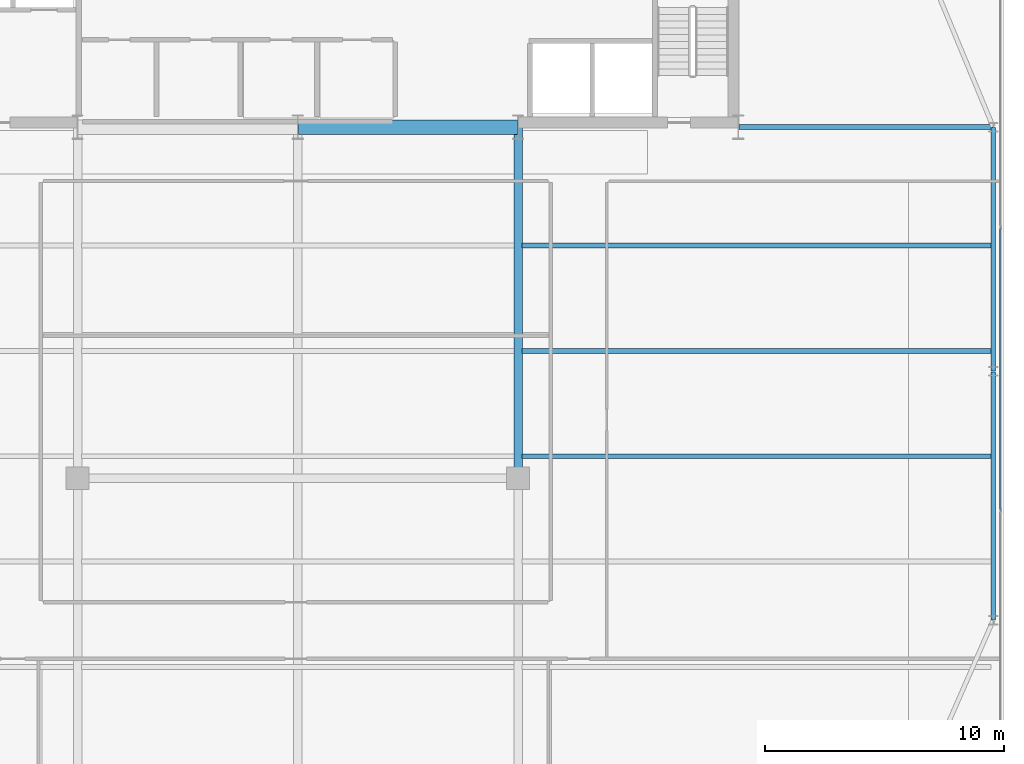
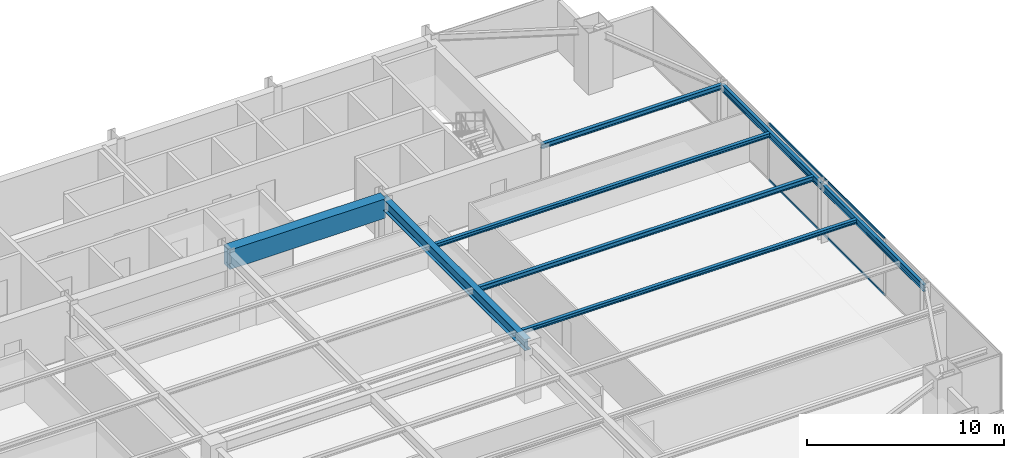
# One storey, part 19 of 30: 8 beams, 2 members, 1 element without a shape of its own.
"""IFC4 building model written with IfcOpenShell, lengths in metres."""

from ifc_helpers import new_model, si_unit, direction, frame, origin, origin_2d, place, context, subcontext, project, spatial, rectangle, hollow_rectangle, i_section, extrude, source, transform, mapped, material, layer, layer_set, material_profile, profile_set, type_object, type_shapes, element, aggregate, save


model = new_model("IFC4")

# Units and contexts
model_context = context("Model", 3, precision=1e-05, world=origin(), true_north=direction((0.0, 1.0)))
body_context = subcontext(model_context, "Body", "Model", "MODEL_VIEW")
ifc_project = project(units=[si_unit("LENGTHUNIT", "METRE"), si_unit("AREAUNIT", "SQUARE_METRE"), si_unit("VOLUMEUNIT", "CUBIC_METRE"), si_unit("PLANEANGLEUNIT", "RADIAN"), si_unit("MASSUNIT", "GRAM", prefix="KILO")], contexts=[model_context])

# Site, building, storey
site_placement = place(None, origin())
site = spatial("IfcSite", under=ifc_project, at=site_placement, CompositionType="ELEMENT")
building_placement = place(site_placement, origin())
building = spatial("IfcBuilding", under=site, at=building_placement, Name="Varnel Quay Broadcast Tower", CompositionType="ELEMENT")
storey_placement = place(building_placement, frame((0.0, 0.0, 122.0)))
storey = spatial("IfcBuildingStorey", under=building, at=storey_placement, Name="L29", CompositionType="ELEMENT", Elevation=122.0)

# Beams
ifc_material_1 = material(Name="Structural Steel CSA G40.21 350W", Category="steel")
ifc_material_profile_1 = material_profile(ifc_material_1, i_section(OverallWidth=0.180908203125, OverallDepth=0.4169921875, WebThickness=0.010986328125, FlangeThickness=0.018310546875, FilletRadius=0.011962890625, at=origin_2d()), Name="W410X85")
ifc_profile_set_1 = profile_set([ifc_material_profile_1], Name="Structural Steel CSA G40.21 350W")
beam_type_1 = type_object("IfcBeamType", Name="Beam_W410X85", PredefinedType="SPANDREL", material=ifc_profile_set_1)
shared_shape_1 = source(origin(), body_context, "Body", "SweptSolid", [
    extrude(i_section(OverallWidth=0.180908203125, OverallDepth=0.4169921875, WebThickness=0.010986328125, FlangeThickness=0.018310546875, FilletRadius=0.011962890625, at=origin_2d()), origin(), (0.0, 0.0, 1.0), 10.35986328125),
])
beam_1_placement = place(storey_placement, frame((63.050048828125, 15.02001953125, 3.341552734375), z_axis=(0.0, 1.0, 0.0), x_axis=(-1.0, 0.0, 0.0)))
element("IfcBeam", 1, at=beam_1_placement, inside=storey, type_object=beam_type_1, Name="L29 East Spandrel TC-E1-TC-E2", PredefinedType="SPANDREL", context=body_context, shape_type="MappedRepresentation", body=[
    mapped(shared_shape_1, transform((0.0, 0.0, 0.0), x_axis=(1.0, 0.0, 0.0), y_axis=(0.0, 1.0, 0.0), z_axis=(0.0, 0.0, 1.0), scale=1.0)),
])
shared_shape_2 = source(origin(), body_context, "Body", "SweptSolid", [
    extrude(i_section(OverallWidth=0.180908203125, OverallDepth=0.4169921875, WebThickness=0.010986328125, FlangeThickness=0.018310546875, FilletRadius=0.011962890625, at=origin_2d()), origin(), (0.0, 0.0, 1.0), 10.16015625),
])
type_shapes(beam_type_1, [shared_shape_1, shared_shape_2])
beam_2_placement = place(storey_placement, frame((63.050048828125, 25.419921875, 3.341552734375), z_axis=(0.0, 1.0, 0.0), x_axis=(-1.0, 0.0, 0.0)))
element("IfcBeam", 2, at=beam_2_placement, inside=storey, type_object=beam_type_1, Name="L29 East Spandrel TC-E2-TC-E3", PredefinedType="SPANDREL", context=body_context, shape_type="MappedRepresentation", body=[
    mapped(shared_shape_2, transform((0.0, 0.0, 0.0), x_axis=(1.0, 0.0, 0.0), y_axis=(0.0, 1.0, 0.0), z_axis=(0.0, 0.0, 1.0), scale=1.0)),
])
ifc_material_2 = material(Name="Concrete CSA A23.3 C60/75", Category="concrete")
ifc_material_profile_2 = material_profile(ifc_material_2, rectangle(XDim=0.60009765625, YDim=1.199951171875, at=origin_2d()), Name="RC600X1200")
ifc_profile_set_2 = profile_set([ifc_material_profile_2], Name="Concrete CSA A23.3 C60/75")
beam_type_2 = type_object("IfcBeamType", Name="Beam_RC600X1200", PredefinedType="BEAM", material=ifc_profile_set_2)
shared_shape_3 = source(origin(), body_context, "Body", "SweptSolid", [
    extrude(rectangle(XDim=0.60009765625, YDim=1.199951171875, at=origin_2d()), origin(), (0.0, 0.0, 1.0), 9.159912109375),
])
type_shapes(beam_type_2, [shared_shape_3])
beam_3_placement = place(storey_placement, frame((34.02001953125, 35.60009765625, 2.949951171875), z_axis=(1.0, 0.0, 0.0), x_axis=(0.0, 1.0, 0.0)))
element("IfcBeam", 3, at=beam_3_placement, inside=storey, type_object=beam_type_2, Name="L29 Core Coupling Beam E", PredefinedType="BEAM", context=body_context, shape_type="MappedRepresentation", body=[
    mapped(shared_shape_3, transform((0.0, 0.0, 0.0), x_axis=(1.0, 0.0, 0.0), y_axis=(0.0, 1.0, 0.0), z_axis=(0.0, 0.0, 1.0), scale=1.0)),
])
ifc_material_profile_3 = material_profile(ifc_material_1, i_section(OverallWidth=0.35498046875, OverallDepth=0.695068359375, WebThickness=0.015380859375, FlangeThickness=0.02490234375, FilletRadius=0.01806640625, at=origin_2d()), Name="W690X217")
ifc_profile_set_3 = profile_set([ifc_material_profile_3], Name="Structural Steel CSA G40.21 350W")
beam_type_3 = type_object("IfcBeamType", Name="Girder_W690X217", PredefinedType="BEAM", material=ifc_profile_set_3)
shared_shape_4 = source(origin(), body_context, "Body", "SweptSolid", [
    extrude(i_section(OverallWidth=0.35498046875, OverallDepth=0.695068359375, WebThickness=0.015380859375, FlangeThickness=0.02490234375, FilletRadius=0.01806640625, at=origin_2d()), origin(), (0.0, 0.0, 1.0), 14.630126953125),
])
type_shapes(beam_type_3, [shared_shape_4])
beam_4_placement = place(storey_placement, frame((43.199951171875, 20.949951171875, 3.202392578125), z_axis=(0.0, 1.0, 0.0), x_axis=(-1.0, 0.0, 0.0)))
element("IfcBeam", 4, at=beam_4_placement, inside=storey, type_object=beam_type_3, Name="L29 Primary Girder IC-02-CC-S4", PredefinedType="BEAM", context=body_context, shape_type="MappedRepresentation", body=[
    mapped(shared_shape_4, transform((0.0, 0.0, 0.0), x_axis=(1.0, 0.0, 0.0), y_axis=(0.0, 1.0, 0.0), z_axis=(0.0, 0.0, 1.0), scale=1.0)),
])
ifc_material_profile_4 = material_profile(ifc_material_1, i_section(OverallWidth=0.202880859375, OverallDepth=0.302978515625, WebThickness=0.007568359375, FlangeThickness=0.01318359375, FilletRadius=0.011962890625, at=origin_2d()), Name="W310X60")
ifc_profile_set_4 = profile_set([ifc_material_profile_4], Name="Structural Steel CSA G40.21 350W")
beam_type_4 = type_object("IfcBeamType", Name="Beam_W310X60", PredefinedType="JOIST", material=ifc_profile_set_4)
shared_shape_5 = source(origin(), body_context, "Body", "SweptSolid", [
    extrude(i_section(OverallWidth=0.202880859375, OverallDepth=0.302978515625, WebThickness=0.007568359375, FlangeThickness=0.01318359375, FilletRadius=0.011962890625, at=origin_2d()), origin(), (0.0, 0.0, 1.0), 10.610107421875),
])
beam_5_placement = place(storey_placement, frame((52.419921875, 35.60009765625, 3.3984375), z_axis=(1.0, 0.0, 0.0), x_axis=(0.0, 1.0, 0.0)))
element("IfcBeam", 5, at=beam_5_placement, inside=storey, type_object=beam_type_4, Name="L29 East Core Tie Joist", PredefinedType="JOIST", context=body_context, shape_type="MappedRepresentation", body=[
    mapped(shared_shape_5, transform((0.0, 0.0, 0.0), x_axis=(1.0, 0.0, 0.0), y_axis=(0.0, 1.0, 0.0), z_axis=(0.0, 0.0, 1.0), scale=1.0)),
])
shared_shape_6 = source(origin(), body_context, "Body", "SweptSolid", [
    extrude(i_section(OverallWidth=0.202880859375, OverallDepth=0.302978515625, WebThickness=0.007568359375, FlangeThickness=0.01318359375, FilletRadius=0.011962890625, at=origin_2d()), origin(), (0.0, 0.0, 1.0), 19.592041015625),
])
type_shapes(beam_type_4, [shared_shape_5, shared_shape_6])
beam_6_placement = place(storey_placement, frame((43.37255859375, 26.25, 3.3984375), z_axis=(1.0, 0.0, 0.0), x_axis=(0.0, 1.0, 0.0)))
element("IfcBeam", 6, at=beam_6_placement, inside=storey, type_object=beam_type_4, Name="L29 East Floor Joist 5", PredefinedType="JOIST", context=body_context, shape_type="MappedRepresentation", body=[
    mapped(shared_shape_6, transform((0.0, 0.0, 0.0), x_axis=(1.0, 0.0, 0.0), y_axis=(0.0, 1.0, 0.0), z_axis=(0.0, 0.0, 1.0), scale=1.0)),
])
ifc_material_profile_5 = material_profile(ifc_material_1, i_section(OverallWidth=0.201904296875, OverallDepth=0.2470703125, WebThickness=0.00732421875, FlangeThickness=0.010986328125, FilletRadius=0.010986328125, at=origin_2d()), Name="W250X49")
ifc_profile_set_5 = profile_set([ifc_material_profile_5], Name="Structural Steel CSA G40.21 350W")
beam_type_5 = type_object("IfcBeamType", Name="Beam_W250X49", PredefinedType="JOIST", material=ifc_profile_set_5)
shared_shape_7 = source(origin(), body_context, "Body", "SweptSolid", [
    extrude(i_section(OverallWidth=0.201904296875, OverallDepth=0.2470703125, WebThickness=0.00732421875, FlangeThickness=0.010986328125, FilletRadius=0.010986328125, at=origin_2d()), origin(), (0.0, 0.0, 1.0), 19.592041015625),
])
type_shapes(beam_type_5, [shared_shape_7])
for number, where, z_axis, x_axis, name in (
    (7, (43.37255859375, 21.85009765625, 3.426513671875), (1.0, 0.0, 0.0), (0.0, 1.0, 0.0), "L29 East Floor Joist 4"),
    (8, (43.37255859375, 30.64990234375, 3.426513671875), (1.0, 0.0, 0.0), (0.0, 1.0, 0.0), "L29 East Floor Joist 6"),
):
    element("IfcBeam", number, at=place(storey_placement, frame(where, z_axis=z_axis, x_axis=x_axis)), inside=storey, type_object=beam_type_5, Name=name, PredefinedType="JOIST", context=body_context, shape_type="MappedRepresentation", body=[
        mapped(shared_shape_7, transform((0.0, 0.0, 0.0), x_axis=(1.0, 0.0, 0.0), y_axis=(0.0, 1.0, 0.0), z_axis=(0.0, 0.0, 1.0), scale=1.0)),
    ])

# Curtain wall, members
ifc_material_3 = material(Name="Anodised Bronze Aluminium 6063-T6", Category="aluminium")
ifc_layer = layer(ifc_material_3, 0.18994140625, Name="Anodised Bronze Aluminium 6063-T6")
ifc_layer_set = layer_set([ifc_layer], Name="Anodised Bronze Aluminium 6063-T6")
curtain_wall_type = type_object("IfcCurtainWallType", Name="CW_LowerTower", PredefinedType="NOTDEFINED", material=ifc_layer_set)
curtain_wall_placement = place(storey_placement, origin())
curtain_wall = element("IfcCurtainWall", 9, at=curtain_wall_placement, inside=storey, type_object=curtain_wall_type, Name="L29 East Unitised Curtain Wall", PredefinedType="NOTDEFINED")
ifc_material_profile_6 = material_profile(ifc_material_3, hollow_rectangle(XDim=0.06005859375, YDim=0.14501953125, WallThickness=0.00341796875, at=origin_2d()), Name="ALU60X145X3.5")
ifc_profile_set_6 = profile_set([ifc_material_profile_6], Name="Anodised Bronze Aluminium 6063-T6")
member_type = type_object("IfcMemberType", Name="Tran_CWS-02", PredefinedType="USERDEFINED", material=ifc_profile_set_6)
shared_shape_8 = source(origin(), body_context, "Body", "SweptSolid", [
    extrude(hollow_rectangle(XDim=0.06005859375, YDim=0.14501953125, WallThickness=0.00341796875, at=origin_2d()), origin(), (0.0, 0.0, 1.0), 11.72998046875),
])
type_shapes(member_type, [shared_shape_8])
member_1_placement = place(storey_placement, frame((63.35009765625, 19.635009765625, 0.030029296875), z_axis=(0.0, 1.0, 0.0), x_axis=(-1.0, 0.0, 0.0)))
member_1 = element("IfcMember", 10, at=member_1_placement, type_object=member_type, Name="CWS-02 transom 2.1", ObjectType="TRANSOM", PredefinedType="USERDEFINED", context=body_context, shape_type="MappedRepresentation", body=[
    mapped(shared_shape_8, transform((0.0, 0.0, 0.0), x_axis=(1.0, 0.0, 0.0), y_axis=(0.0, 1.0, 0.0), z_axis=(0.0, 0.0, 1.0), scale=1.0)),
])
member_2_placement = place(storey_placement, frame((63.35009765625, 19.635009765625, 3.52001953125), z_axis=(0.0, 1.0, 0.0), x_axis=(-1.0, 0.0, 0.0)))
member_2 = element("IfcMember", 11, at=member_2_placement, type_object=member_type, Name="CWS-02 transom 2.2", ObjectType="TRANSOM", PredefinedType="USERDEFINED", context=body_context, shape_type="MappedRepresentation", body=[
    mapped(shared_shape_8, transform((0.0, 0.0, 0.0), x_axis=(1.0, 0.0, 0.0), y_axis=(0.0, 1.0, 0.0), z_axis=(0.0, 0.0, 1.0), scale=1.0)),
])
aggregate(curtain_wall, [member_1, member_2])

save(model, "model.ifc")
